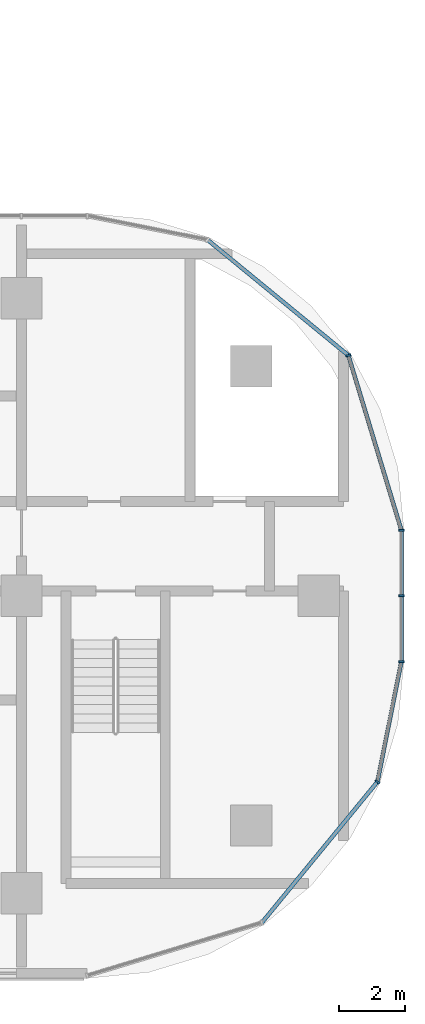
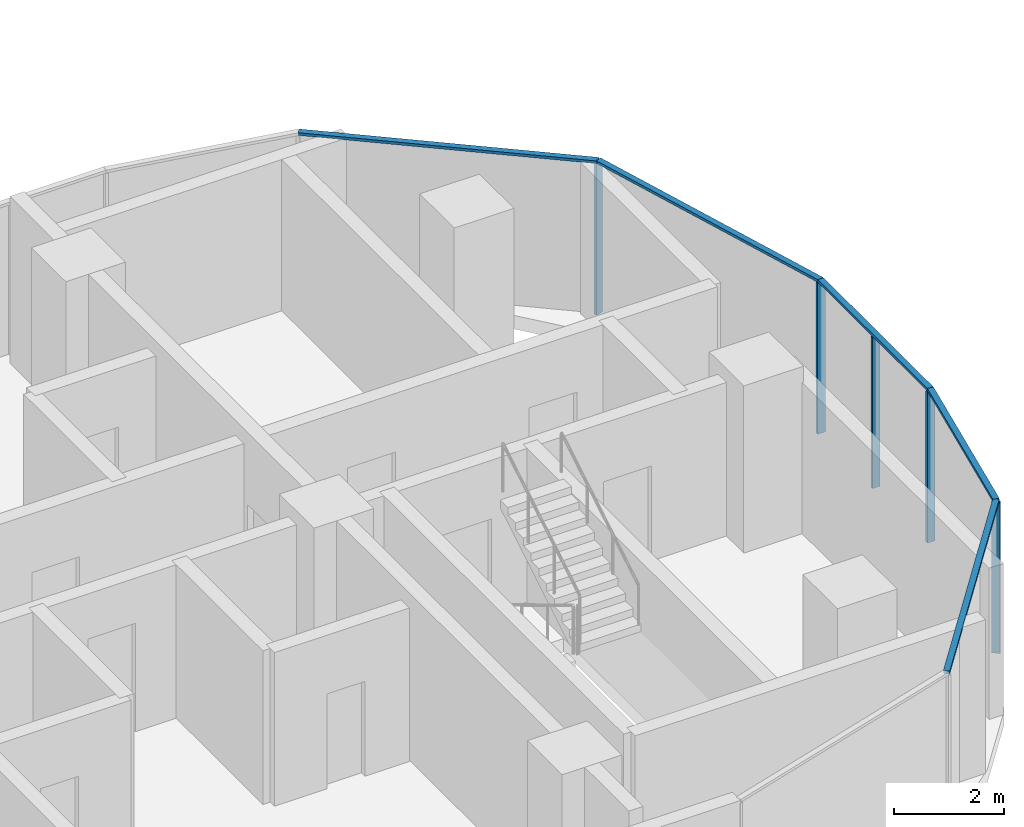
# One storey, part 8 of 23: 10 members, 3 elements without a shape of their own.
"""IFC4 building model written with IfcOpenShell, lengths in metres."""

from ifc_helpers import new_model, si_unit, direction, frame, origin, origin_2d, place, context, subcontext, project, spatial, rectangle, extrude, material, material_profile, profile_set, type_object, element, aggregate, save


model = new_model("IFC4")

# Units and contexts
model_context = context("Model", 3, precision=1e-05, world=origin(), true_north=direction((0.0, 1.0)))
body_context = subcontext(model_context, "Body", "Model", "MODEL_VIEW")
ifc_project = project(units=[si_unit("LENGTHUNIT", "METRE"), si_unit("AREAUNIT", "SQUARE_METRE"), si_unit("VOLUMEUNIT", "CUBIC_METRE"), si_unit("PLANEANGLEUNIT", "RADIAN"), si_unit("MASSUNIT", "GRAM", prefix="KILO")], contexts=[model_context])

# Site, building, storey
site_placement = place(None, origin())
site = spatial("IfcSite", under=ifc_project, at=site_placement, CompositionType="ELEMENT")
building_placement = place(site_placement, origin())
building = spatial("IfcBuilding", under=site, at=building_placement, Name="Ogive Portal Towers", CompositionType="ELEMENT")
storey_placement = place(building_placement, frame((0.0, 0.0, 120.39990234375)))
storey = spatial("IfcBuildingStorey", under=building, at=storey_placement, Name="L29", CompositionType="ELEMENT", Elevation=120.39990234375)

# Curtain wall, members
ifc_material_1 = material(Name="Glass, clear low-iron insulated glazing", Category="glass")
curtain_wall_type = type_object("IfcCurtainWallType", Name="CW FRONT RIBBON 4500", PredefinedType="NOTDEFINED", material=ifc_material_1)
curtain_wall_1_placement = place(storey_placement, origin())
curtain_wall_1 = element("IfcCurtainWall", 1, at=curtain_wall_1_placement, inside=storey, type_object=curtain_wall_type, Name="A:L29:f12:cw0", PredefinedType="NOTDEFINED")
ifc_material_2 = material(Name="Aluminium 6063 anodised", Category="aluminium")
ifc_material_profile_1 = material_profile(ifc_material_2, rectangle(XDim=0.159912109375, YDim=0.06005859375, at=origin_2d()), Name="AL 60x160")
ifc_profile_set_1 = profile_set([ifc_material_profile_1], Name="Aluminium 6063 anodised")
member_type_1 = type_object("IfcMemberType", Name="CW MULLION 60x160", PredefinedType="MULLION", material=ifc_profile_set_1)
member_1_placement = place(storey_placement, frame((96.9951171875, 28.5078125, 0.0), z_axis=(0.0, 0.0, 1.0), x_axis=(-1.0, 0.0, 0.0)))
member_1 = element("IfcMember", 2, at=member_1_placement, type_object=member_type_1, Name="mullion", PredefinedType="MULLION", context=body_context, shape_type="SweptSolid", body=[
    extrude(rectangle(XDim=0.159912109375, YDim=0.06005859375, at=origin_2d()), origin(), (0.0, 0.0, 1.0), 3.340087890625),
])
member_2_placement = place(storey_placement, frame((96.9951171875, 30.5, 0.0), z_axis=(0.0, 0.0, 1.0), x_axis=(-1.0, 0.0, 0.0)))
member_2 = element("IfcMember", 3, at=member_2_placement, type_object=member_type_1, Name="mullion", PredefinedType="MULLION", context=body_context, shape_type="SweptSolid", body=[
    extrude(rectangle(XDim=0.159912109375, YDim=0.06005859375, at=origin_2d()), origin(), (0.0, 0.0, 1.0), 3.340087890625),
])
member_3_placement = place(storey_placement, frame((96.9951171875, 32.488037109375, 0.0), z_axis=(0.0, 0.0, 1.0), x_axis=(-1.0, 0.0, 0.0)))
member_3 = element("IfcMember", 4, at=member_3_placement, type_object=member_type_1, Name="mullion", PredefinedType="MULLION", context=body_context, shape_type="SweptSolid", body=[
    extrude(rectangle(XDim=0.159912109375, YDim=0.06005859375, at=origin_2d()), origin(), (0.0, 0.0, 1.0), 3.340087890625),
])

# Curtain wall, member
curtain_wall_2_placement = place(storey_placement, origin())
curtain_wall_2 = element("IfcCurtainWall", 5, at=curtain_wall_2_placement, inside=storey, type_object=curtain_wall_type, Name="A:L29:f09:cwa", PredefinedType="NOTDEFINED")
member_4_placement = place(storey_placement, frame((96.271484375, 24.87109375, 0.0), z_axis=(0.0, 0.0, 1.0), x_axis=(-0.773010453363, 0.634393284164, 0.0)))
member_4 = element("IfcMember", 6, at=member_4_placement, type_object=member_type_1, Name="mullion", PredefinedType="MULLION", context=body_context, shape_type="SweptSolid", body=[
    extrude(rectangle(XDim=0.159912109375, YDim=0.06005859375, at=origin_2d()), origin(), (0.0, 0.0, 1.0), 3.340087890625),
])

curtain_wall_3_placement = place(storey_placement, origin())
curtain_wall_3 = element("IfcCurtainWall", 7, at=curtain_wall_3_placement, inside=storey, type_object=curtain_wall_type, Name="A:L29:f13:cwa", PredefinedType="NOTDEFINED")
member_5_placement = place(storey_placement, frame((95.391845703125, 37.773193359375, 0.0), z_axis=(0.0, 0.0, 1.0), x_axis=(-0.956940335732, -0.290284677254, 0.0)))
member_5 = element("IfcMember", 8, at=member_5_placement, type_object=member_type_1, Name="mullion", PredefinedType="MULLION", context=body_context, shape_type="SweptSolid", body=[
    extrude(rectangle(XDim=0.159912109375, YDim=0.06005859375, at=origin_2d()), origin(), (0.0, 0.0, 1.0), 3.340087890625),
])

# Member
ifc_material_profile_2 = material_profile(ifc_material_2, rectangle(XDim=0.1201171875, YDim=0.06005859375, at=origin_2d()), Name="AL 120x60")
ifc_profile_set_2 = profile_set([ifc_material_profile_2], Name="Aluminium 6063 anodised")
member_type_2 = type_object("IfcMemberType", Name="CW TRANSOM 60x120", PredefinedType="USERDEFINED", material=ifc_profile_set_2)
member_6_placement = place(storey_placement, frame((96.9951171875, 28.5078125, 3.3701171875), z_axis=(0.0, 1.0, 0.0), x_axis=(-1.0, 0.0, 0.0)))
member_6 = element("IfcMember", 9, at=member_6_placement, type_object=member_type_2, Name="transom", ObjectType="TRANSOM", PredefinedType="USERDEFINED", context=body_context, shape_type="SweptSolid", body=[
    extrude(rectangle(XDim=0.1201171875, YDim=0.06005859375, at=origin_2d()), origin(), (0.0, 0.0, 1.0), 3.980224609375),
])

aggregate(curtain_wall_1, [member_6, member_1, member_2, member_3])

member_7_placement = place(storey_placement, frame((92.773193359375, 20.608154296875, 3.3701171875), z_axis=(0.63437020596, 0.773029392579, 0.0), x_axis=(-0.773029392579, 0.63437020596, 0.0)))
member_7 = element("IfcMember", 10, at=member_7_placement, type_object=member_type_2, Name="transom", ObjectType="TRANSOM", PredefinedType="USERDEFINED", context=body_context, shape_type="SweptSolid", body=[
    extrude(rectangle(XDim=0.1201171875, YDim=0.06005859375, at=origin_2d()), origin(), (0.0, 0.0, 1.0), 5.5146484375),
])

member_8_placement = place(storey_placement, frame((96.271484375, 24.87109375, 3.3701171875), z_axis=(0.195153744134, 0.980772662828, 0.0), x_axis=(-0.980772662828, 0.195153744134, 0.0)))
member_8 = element("IfcMember", 11, at=member_8_placement, type_object=member_type_2, Name="transom", ObjectType="TRANSOM", PredefinedType="USERDEFINED", context=body_context, shape_type="SweptSolid", body=[
    extrude(rectangle(XDim=0.1201171875, YDim=0.06005859375, at=origin_2d()), origin(), (0.0, 0.0, 1.0), 3.7080078125),
])

aggregate(curtain_wall_2, [member_7, member_8, member_4])

member_9_placement = place(storey_placement, frame((96.9951171875, 32.488037109375, 3.3701171875), z_axis=(-0.290290789392, 0.956938481614, 0.0), x_axis=(-0.956938481614, -0.290290789392, 0.0)))
member_9 = element("IfcMember", 12, at=member_9_placement, type_object=member_type_2, Name="transom", ObjectType="TRANSOM", PredefinedType="USERDEFINED", context=body_context, shape_type="SweptSolid", body=[
    extrude(rectangle(XDim=0.1201171875, YDim=0.06005859375, at=origin_2d()), origin(), (0.0, 0.0, 1.0), 5.52294921875),
])

member_10_placement = place(storey_placement, frame((95.391845703125, 37.773193359375, 3.3701171875), z_axis=(-0.773029392579, 0.63437020596, 0.0), x_axis=(-0.63437020596, -0.773029392579, 0.0)))
member_10 = element("IfcMember", 13, at=member_10_placement, type_object=member_type_2, Name="transom", ObjectType="TRANSOM", PredefinedType="USERDEFINED", context=body_context, shape_type="SweptSolid", body=[
    extrude(rectangle(XDim=0.1201171875, YDim=0.06005859375, at=origin_2d()), origin(), (0.0, 0.0, 1.0), 5.5146484375),
])

aggregate(curtain_wall_3, [member_9, member_10, member_5])

save(model, "model.ifc")
